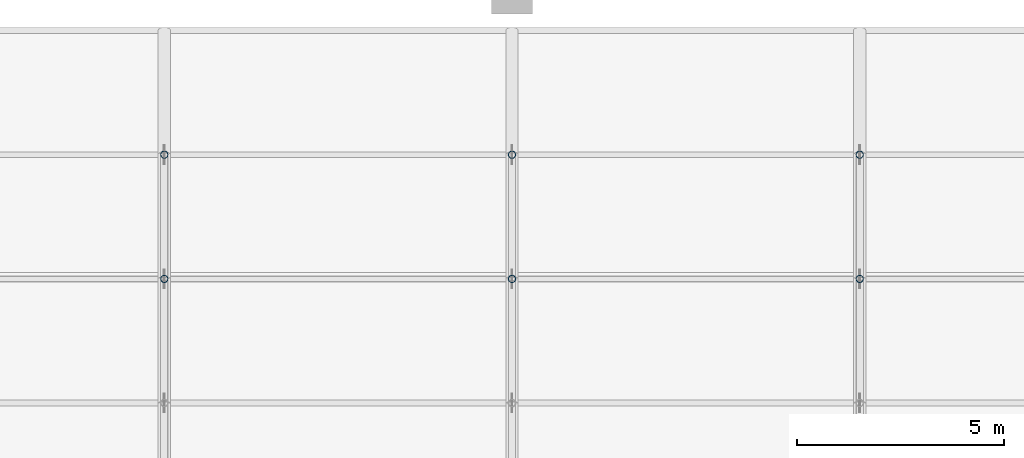
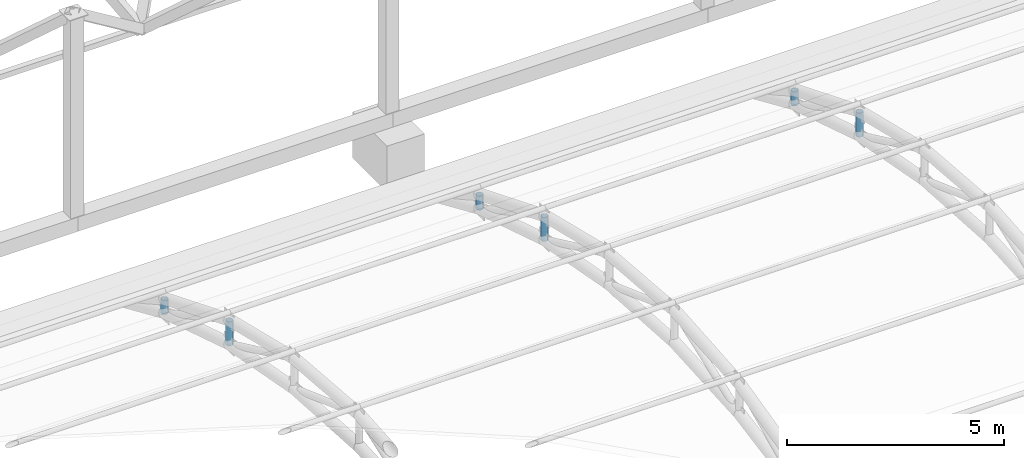
# One storey, part 75 of 163: 6 members.
"""IFC4 building model written with IfcOpenShell, lengths in metres."""

import ifcopenshell
import ifcopenshell.guid

model = None  # the IFC model being written
_history = None  # IfcOwnerHistory: only IFC2X3 demands one
_inside = {}  # id of a spatial element -> (the spatial element, [elements in it])
_under = {}  # id of a project, library or spatial element -> (it, [spatial elements below it])
_declared = {}  # id of a project -> (the project, [libraries it declares])
_typed = {}  # id of a type object -> (the type object, [elements of that type])
_made_of = {}  # id of a material, layer set ... -> (it, [elements and type objects made of it])


def new_model(schema):
    """Start an empty IFC model of exactly this schema.

    Asked for "IFC4X3", IfcOpenShell would pick the latest addendum, in which some entities
    have other attributes; the version numbers below select the first issue.
    IFC2X3 requires an IfcOwnerHistory on every rooted entity: one is made here for all.
    """
    global model, _history
    if schema == "IFC4X3":
        model = ifcopenshell.file(schema_version=(4, 3, 0, 0))
    else:
        model = ifcopenshell.file(schema=schema)
    _inside.clear()
    _under.clear()
    _declared.clear()
    _typed.clear()
    _made_of.clear()
    _history = None
    if model.schema == "IFC2X3":
        org = make("IfcOrganization", Name="unknown")
        user = make(
            "IfcPersonAndOrganization",
            ThePerson=make("IfcPerson", FamilyName="unknown"),
            TheOrganization=org,
        )
        app = make(
            "IfcApplication",
            ApplicationDeveloper=org,
            Version="unknown",
            ApplicationFullName="unknown",
            ApplicationIdentifier="unknown",
        )
        _history = make(
            "IfcOwnerHistory",
            OwningUser=user,
            OwningApplication=app,
            ChangeAction="ADDED",
            CreationDate=0,
        )
    return model


def make(cls, **values):
    """One entity of the class cls with the attributes given. An attribute that is None is left unset."""
    return model.create_entity(
        cls, **{name: value for name, value in values.items() if value is not None}
    )


def rooted(cls, **values):
    """An entity with a GlobalId (a new one), such as an element, a storey or a relation."""
    return make(cls, GlobalId=ifcopenshell.guid.new(), OwnerHistory=_history, **values)


def si_unit(unit_type, name, prefix=None):
    """IfcSIUnit, for example si_unit("LENGTHUNIT", "METRE", prefix="MILLI")."""
    return make("IfcSIUnit", UnitType=unit_type, Prefix=prefix, Name=name)


def assignment(units):
    """IfcUnitAssignment: the units of a project."""
    return None if units is None else make("IfcUnitAssignment", Units=units)


def point(xyz):
    """IfcCartesianPoint."""
    return None if xyz is None else make("IfcCartesianPoint", Coordinates=xyz)


def direction(xyz):
    """IfcDirection."""
    return None if xyz is None else make("IfcDirection", DirectionRatios=xyz)


def frame(location, z_axis=None, x_axis=None):
    """IfcAxis2Placement3D, a coordinate frame: its origin and axes. An axis left out is left unset."""
    return make(
        "IfcAxis2Placement3D",
        Location=point(location),
        Axis=direction(z_axis),
        RefDirection=direction(x_axis),
    )


def frame_2d(location, x_axis=None):
    """IfcAxis2Placement2D, a coordinate frame in the plane: its origin and x axis."""
    return make(
        "IfcAxis2Placement2D", Location=point(location), RefDirection=direction(x_axis)
    )


def origin():
    """The frame at (0, 0, 0) with its axes left unset."""
    return frame((0.0, 0.0, 0.0))


def origin_2d():
    """The frame at (0, 0) in the plane with its x axis left unset."""
    return frame_2d((0.0, 0.0))


def place(relative_to, where):
    """IfcLocalPlacement: puts the frame where relative to a parent placement (None: the world)."""
    return make(
        "IfcLocalPlacement", PlacementRelTo=relative_to, RelativePlacement=where
    )


def context(
    kind, dimensions, precision=None, world=None, true_north=None, identifier=None
):
    """IfcGeometricRepresentationContext, for example the 3D "Model" context."""
    return make(
        "IfcGeometricRepresentationContext",
        ContextIdentifier=identifier,
        ContextType=kind,
        CoordinateSpaceDimension=dimensions,
        Precision=precision,
        WorldCoordinateSystem=world,
        TrueNorth=true_north,
    )


def subcontext(parent, identifier, kind, view, scale=None):
    """IfcGeometricRepresentationSubContext, for example "Body" below "Model"."""
    return make(
        "IfcGeometricRepresentationSubContext",
        ContextIdentifier=identifier,
        ContextType=kind,
        ParentContext=parent,
        TargetScale=scale,
        TargetView=view,
    )


def project(units=None, contexts=None):
    """IfcProject with its units and contexts."""
    return rooted(
        "IfcProject",
        Name="project",
        RepresentationContexts=contexts,
        UnitsInContext=assignment(units),
    )


def spatial(cls, under=None, at=None, **own):
    """A site, building, storey or space (cls), placed at a placement, below another one or the project."""
    s = rooted(cls, ObjectPlacement=at, **own)
    if under is not None:
        _under.setdefault(under.id(), (under, []))[1].append(s)
    return s


def profile(cls, at=None, kind="AREA", **sizes):
    """A parametric profile (cls). Its sizes go by their IFC names, for example OverallWidth=200.0."""
    return make(cls, ProfileType=kind, Position=at, **sizes)


def hollow_circle(**sizes):
    """IfcCircleHollowProfileDef."""
    return profile("IfcCircleHollowProfileDef", **sizes)


def extrude(swept, where, along, depth):
    """IfcExtrudedAreaSolid: the profile swept, set in the frame where, extruded along a direction by depth."""
    return make(
        "IfcExtrudedAreaSolid",
        SweptArea=swept,
        Position=where,
        ExtrudedDirection=direction(along),
        Depth=depth,
    )


def shape(context_of_items, identifier, shape_type, items):
    """IfcShapeRepresentation: the items that make up one representation, for example the "Body"."""
    return make(
        "IfcShapeRepresentation",
        ContextOfItems=context_of_items,
        RepresentationIdentifier=identifier,
        RepresentationType=shape_type,
        Items=items,
    )


def material(Name=None, Category=None):
    """IfcMaterial."""
    return make("IfcMaterial", Name=Name, Category=Category)


def material_profile(
    of_material, cross_section, Name=None, Category=None, Priority=None
):
    """IfcMaterialProfile: a cross section and its material."""
    return make(
        "IfcMaterialProfile",
        Name=Name,
        Material=of_material,
        Profile=cross_section,
        Priority=Priority,
        Category=Category,
    )


def profile_set(profiles, Name=None, composite=None):
    """IfcMaterialProfileSet."""
    return make(
        "IfcMaterialProfileSet",
        Name=Name,
        MaterialProfiles=profiles,
        CompositeProfile=composite,
    )


def made_of(thing, what):
    """Note that an element or type object is made of a material, layer set ...; save() writes the relation."""
    if what is not None:
        _made_of.setdefault(what.id(), (what, []))[1].append(thing)
    return thing


def type_object(cls, material=None, **own):
    """A type object (cls), such as IfcWallType, which elements share."""
    return made_of(rooted(cls, **own), material)


def element(
    cls,
    number,
    at=None,
    inside=None,
    cuts=None,
    type_object=None,
    material=None,
    context=None,
    identifier="Body",
    shape_type=None,
    held_by="IfcProductDefinitionShape",
    body=None,
    shapes=None,
    **own,
):
    """One element of the class cls, such as IfcWall. Its Tag is "e" and its number.

    at: its placement. inside: the storey or other place that contains it. cuts: it is an
    opening in that element (IfcRelVoidsElement). A single representation is given by context,
    identifier, shape_type and body (its items); several are given by shapes. held_by: the class
    of the entity that holds the representations. save() writes the other relations.
    """
    e = rooted(cls, Tag="e%d" % number, ObjectPlacement=at, **own)
    if body is not None:
        shapes = [shape(context, identifier, shape_type, body)]
    if shapes is not None:
        e.Representation = make(held_by, Representations=shapes)
    if inside is not None:
        _inside.setdefault(inside.id(), (inside, []))[1].append(e)
    if cuts is not None:
        rooted(
            "IfcRelVoidsElement", RelatingBuildingElement=cuts, RelatedOpeningElement=e
        )
    if type_object is not None:
        _typed.setdefault(type_object.id(), (type_object, []))[1].append(e)
    return made_of(e, material)


def aggregate(whole, parts):
    """IfcRelAggregates: a whole, such as a stair, and the parts it consists of."""
    return rooted("IfcRelAggregates", RelatingObject=whole, RelatedObjects=parts)


def save(model, path):
    """Write the relations noted so far, then the file.

    IfcRelAggregates (storeys below a building ...), IfcRelContainedInSpatialStructure (elements
    in a storey), IfcRelDefinesByType, IfcRelAssociatesMaterial and IfcRelDeclares: one each for
    every whole, place, type object, material and project.
    """
    for whole, parts in _under.values():
        aggregate(whole, parts)
    for where, things in _inside.values():
        rooted(
            "IfcRelContainedInSpatialStructure",
            RelatedElements=things,
            RelatingStructure=where,
        )
    for kind, things in _typed.values():
        rooted("IfcRelDefinesByType", RelatedObjects=things, RelatingType=kind)
    for what, things in _made_of.values():
        rooted("IfcRelAssociatesMaterial", RelatedObjects=things, RelatingMaterial=what)
    for by, libraries in _declared.values():
        rooted("IfcRelDeclares", RelatingContext=by, RelatedDefinitions=libraries)
    model.write(path)


model = new_model("IFC4")

# Units and contexts
model_context = context("Model", 3, precision=1e-05, world=origin(), true_north=direction((0.0, 1.0)))
body_context = subcontext(model_context, "Body", "Model", "MODEL_VIEW")
ifc_project = project(units=[si_unit("LENGTHUNIT", "METRE"), si_unit("AREAUNIT", "SQUARE_METRE"), si_unit("VOLUMEUNIT", "CUBIC_METRE"), si_unit("PLANEANGLEUNIT", "RADIAN"), si_unit("MASSUNIT", "GRAM", prefix="KILO")], contexts=[model_context])

# Site, building, storey
site_placement = place(None, origin())
site = spatial("IfcSite", under=ifc_project, at=site_placement, CompositionType="ELEMENT")
building_placement = place(site_placement, origin())
building = spatial("IfcBuilding", under=site, at=building_placement, Name="Rain Tree Exposition and Congress Centre", CompositionType="ELEMENT")
storey_placement = place(building_placement, frame((0.0, 0.0, 10.5)))
storey = spatial("IfcBuildingStorey", under=building, at=storey_placement, Name="L02", CompositionType="ELEMENT", Elevation=10.5)

# Members
ifc_material = material(Name="Steel S355J2H", Category="steel")
ifc_material_profile = material_profile(ifc_material, hollow_circle(Radius=0.090087890625, WallThickness=0.008056640625, at=origin_2d()), Name="CHS 180x8")
ifc_profile_set = profile_set([ifc_material_profile], Name="Steel S355J2H")
member_type = type_object("IfcMemberType", Name="Steel post member CHS 180x8", PredefinedType="POST", material=ifc_profile_set)
member_1_placement = place(storey_placement, frame((67.199951171875, 93.60009765625, 2.3798828125), z_axis=(0.0, 0.0, 1.0), x_axis=(1.0, 0.0, 0.0)))
element("IfcMember", 1, at=member_1_placement, inside=storey, type_object=member_type, Name="Roof truss 9 post 6", PredefinedType="POST", context=body_context, shape_type="SweptSolid", body=[
    extrude(hollow_circle(Radius=0.090087890625, WallThickness=0.008056640625, at=origin_2d()), origin(), (0.0, 0.0, 1.0), 0.675048828125),
])
member_2_placement = place(storey_placement, frame((67.199951171875, 96.60009765625, 1.4423828125), z_axis=(0.0, 0.0, 1.0), x_axis=(1.0, 0.0, 0.0)))
element("IfcMember", 2, at=member_2_placement, inside=storey, type_object=member_type, Name="Roof truss 9 post 7", PredefinedType="POST", context=body_context, shape_type="SweptSolid", body=[
    extrude(hollow_circle(Radius=0.090087890625, WallThickness=0.008056640625, at=origin_2d()), origin(), (0.0, 0.0, 1.0), 0.393798828125),
])
member_3_placement = place(storey_placement, frame((75.60009765625, 93.60009765625, 2.3798828125), z_axis=(0.0, 0.0, 1.0), x_axis=(1.0, 0.0, 0.0)))
element("IfcMember", 3, at=member_3_placement, inside=storey, type_object=member_type, Name="Roof truss 10 post 6", PredefinedType="POST", context=body_context, shape_type="SweptSolid", body=[
    extrude(hollow_circle(Radius=0.090087890625, WallThickness=0.008056640625, at=origin_2d()), origin(), (0.0, 0.0, 1.0), 0.675048828125),
])
member_4_placement = place(storey_placement, frame((75.60009765625, 96.60009765625, 1.4423828125), z_axis=(0.0, 0.0, 1.0), x_axis=(1.0, 0.0, 0.0)))
element("IfcMember", 4, at=member_4_placement, inside=storey, type_object=member_type, Name="Roof truss 10 post 7", PredefinedType="POST", context=body_context, shape_type="SweptSolid", body=[
    extrude(hollow_circle(Radius=0.090087890625, WallThickness=0.008056640625, at=origin_2d()), origin(), (0.0, 0.0, 1.0), 0.393798828125),
])
member_5_placement = place(storey_placement, frame((84.0, 93.60009765625, 2.3798828125), z_axis=(0.0, 0.0, 1.0), x_axis=(1.0, 0.0, 0.0)))
element("IfcMember", 5, at=member_5_placement, inside=storey, type_object=member_type, Name="Roof truss 11 post 6", PredefinedType="POST", context=body_context, shape_type="SweptSolid", body=[
    extrude(hollow_circle(Radius=0.090087890625, WallThickness=0.008056640625, at=origin_2d()), origin(), (0.0, 0.0, 1.0), 0.675048828125),
])
member_6_placement = place(storey_placement, frame((84.0, 96.60009765625, 1.4423828125), z_axis=(0.0, 0.0, 1.0), x_axis=(1.0, 0.0, 0.0)))
element("IfcMember", 6, at=member_6_placement, inside=storey, type_object=member_type, Name="Roof truss 11 post 7", PredefinedType="POST", context=body_context, shape_type="SweptSolid", body=[
    extrude(hollow_circle(Radius=0.090087890625, WallThickness=0.008056640625, at=origin_2d()), origin(), (0.0, 0.0, 1.0), 0.393798828125),
])

save(model, "model.ifc")
